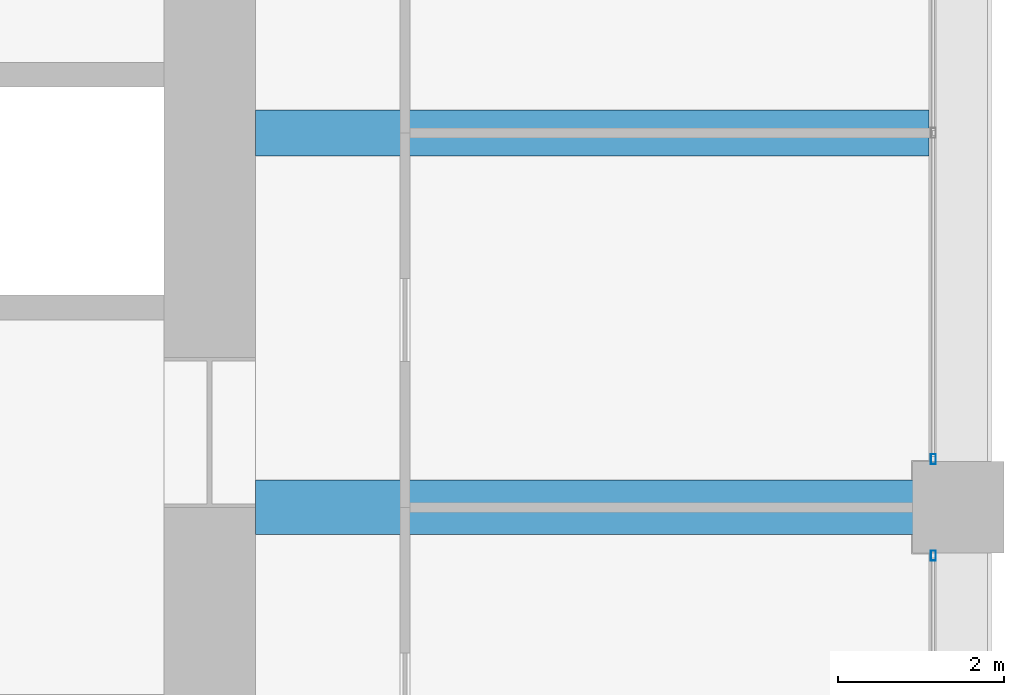
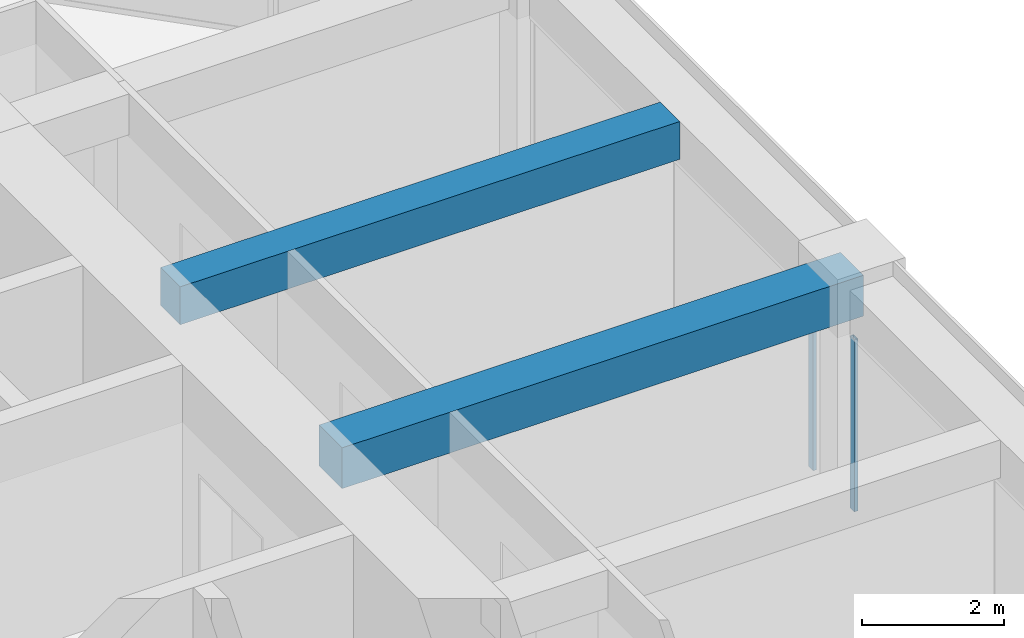
# One storey, part 26 of 45: 2 beams, 2 members, 2 elements without a shape of their own.
"""IFC4 building model written with IfcOpenShell, lengths in metres."""

from ifc_helpers import new_model, si_unit, direction, frame, origin, origin_2d, place, context, subcontext, project, spatial, rectangle, hollow_rectangle, extrude, material, material_profile, profile_set, type_object, element, aggregate, save


model = new_model("IFC4")

# Units and contexts
model_context = context("Model", 3, precision=1e-05, world=origin(), true_north=direction((0.0, 1.0)))
body_context = subcontext(model_context, "Body", "Model", "MODEL_VIEW")
ifc_project = project(units=[si_unit("LENGTHUNIT", "METRE"), si_unit("AREAUNIT", "SQUARE_METRE"), si_unit("VOLUMEUNIT", "CUBIC_METRE"), si_unit("PLANEANGLEUNIT", "RADIAN"), si_unit("MASSUNIT", "GRAM", prefix="KILO")], contexts=[model_context])

# Site, building, storey
site_placement = place(None, origin())
site = spatial("IfcSite", under=ifc_project, at=site_placement, CompositionType="ELEMENT")
building_placement = place(site_placement, origin())
building = spatial("IfcBuilding", under=site, at=building_placement, Name="Zorevar Civic Tower", CompositionType="ELEMENT")
storey_placement = place(building_placement, frame((0.0, 0.0, 291.39990234375)))
storey = spatial("IfcBuildingStorey", under=building, at=storey_placement, Name="L71", CompositionType="ELEMENT", Elevation=291.39990234375)

# Beams
ifc_material_1 = material(Name="Concrete C50/60", Category="concrete")
ifc_material_profile_1 = material_profile(ifc_material_1, rectangle(XDim=0.550048828125, YDim=0.64990234375, at=origin_2d()), Name="RC 550x650")
ifc_profile_set_1 = profile_set([ifc_material_profile_1], Name="Concrete C50/60")
beam_type_1 = type_object("IfcBeamType", Name="Beam RC 550x650", PredefinedType="BEAM", material=ifc_profile_set_1)
beam_1_placement = place(storey_placement, frame((45.550048828125, 31.5, 3.425048828125), z_axis=(1.0, 0.0, 0.0), x_axis=(0.0, 1.0, 0.0)))
element("IfcBeam", 1, at=beam_1_placement, inside=storey, type_object=beam_type_1, Name="Secondary beam L72", PredefinedType="BEAM", context=body_context, shape_type="SweptSolid", body=[
    extrude(rectangle(XDim=0.550048828125, YDim=0.64990234375, at=origin_2d()), origin(), (0.0, 0.0, 1.0), 8.099853515625),
])
ifc_material_2 = material(Name="Concrete C50/60", Category="concrete")
ifc_material_profile_2 = material_profile(ifc_material_2, rectangle(XDim=0.64990234375, YDim=0.699951171875, at=origin_2d()), Name="RC 650x700")
ifc_profile_set_2 = profile_set([ifc_material_profile_2], Name="Concrete C50/60")
beam_type_2 = type_object("IfcBeamType", Name="Beam RC 650x700", PredefinedType="BEAM", material=ifc_profile_set_2)
beam_2_placement = place(storey_placement, frame((45.550048828125, 27.0, 3.400146484375), z_axis=(1.0, 0.0, 0.0), x_axis=(0.0, 1.0, 0.0)))
element("IfcBeam", 2, at=beam_2_placement, inside=storey, type_object=beam_type_2, Name="Girder L72", PredefinedType="BEAM", context=body_context, shape_type="SweptSolid", body=[
    extrude(rectangle(XDim=0.64990234375, YDim=0.699951171875, at=origin_2d()), origin(), (0.0, 0.0, 1.0), 8.449951171875),
])

# Curtain wall, member
ifc_material_3 = material(Name="Dark grey solar-control glass in black aluminium frame", Category="aluminium")
curtain_wall_type = type_object("IfcCurtainWallType", Name="Curtain wall CW5 top zone", PredefinedType="NOTDEFINED", material=ifc_material_3)
curtain_wall_1_placement = place(storey_placement, origin())
curtain_wall_1 = element("IfcCurtainWall", 3, at=curtain_wall_1_placement, inside=storey, type_object=curtain_wall_type, Name="CW5 L71", PredefinedType="NOTDEFINED")
ifc_material_4 = material(Name="Aluminium, black anodised", Category="aluminium")
ifc_material_profile_3 = material_profile(ifc_material_4, hollow_rectangle(XDim=0.06005859375, YDim=0.1201171875, WallThickness=0.0029296875, at=origin_2d()), Name="AL 120x60x3")
ifc_profile_set_3 = profile_set([ifc_material_profile_3], Name="Aluminium, black anodised")
member_type = type_object("IfcMemberType", Name="CW5 mullion AL 120x60x3", PredefinedType="MULLION", material=ifc_profile_set_3)
member_1_placement = place(storey_placement, frame((53.699951171875, 26.419921875, 0.0), z_axis=(0.0, 0.0, 1.0), x_axis=(-1.0, 0.0, 0.0)))
member_1 = element("IfcMember", 4, at=member_1_placement, type_object=member_type, Name="CW5 mullion 3", PredefinedType="MULLION", context=body_context, shape_type="SweptSolid", body=[
    extrude(hollow_rectangle(XDim=0.06005859375, YDim=0.1201171875, WallThickness=0.0029296875, at=origin_2d()), origin(), (0.0, 0.0, 1.0), 2.9501953125),
])
aggregate(curtain_wall_1, [member_1])

curtain_wall_2_placement = place(storey_placement, origin())
curtain_wall_2 = element("IfcCurtainWall", 5, at=curtain_wall_2_placement, inside=storey, type_object=curtain_wall_type, Name="CW5 L71", PredefinedType="NOTDEFINED")
member_2_placement = place(storey_placement, frame((53.699951171875, 27.580078125, 0.0), z_axis=(0.0, 0.0, 1.0), x_axis=(-1.0, 0.0, 0.0)))
member_2 = element("IfcMember", 6, at=member_2_placement, type_object=member_type, Name="CW5 mullion 1", PredefinedType="MULLION", context=body_context, shape_type="SweptSolid", body=[
    extrude(hollow_rectangle(XDim=0.06005859375, YDim=0.1201171875, WallThickness=0.0029296875, at=origin_2d()), origin(), (0.0, 0.0, 1.0), 2.9501953125),
])
aggregate(curtain_wall_2, [member_2])

save(model, "model.ifc")
